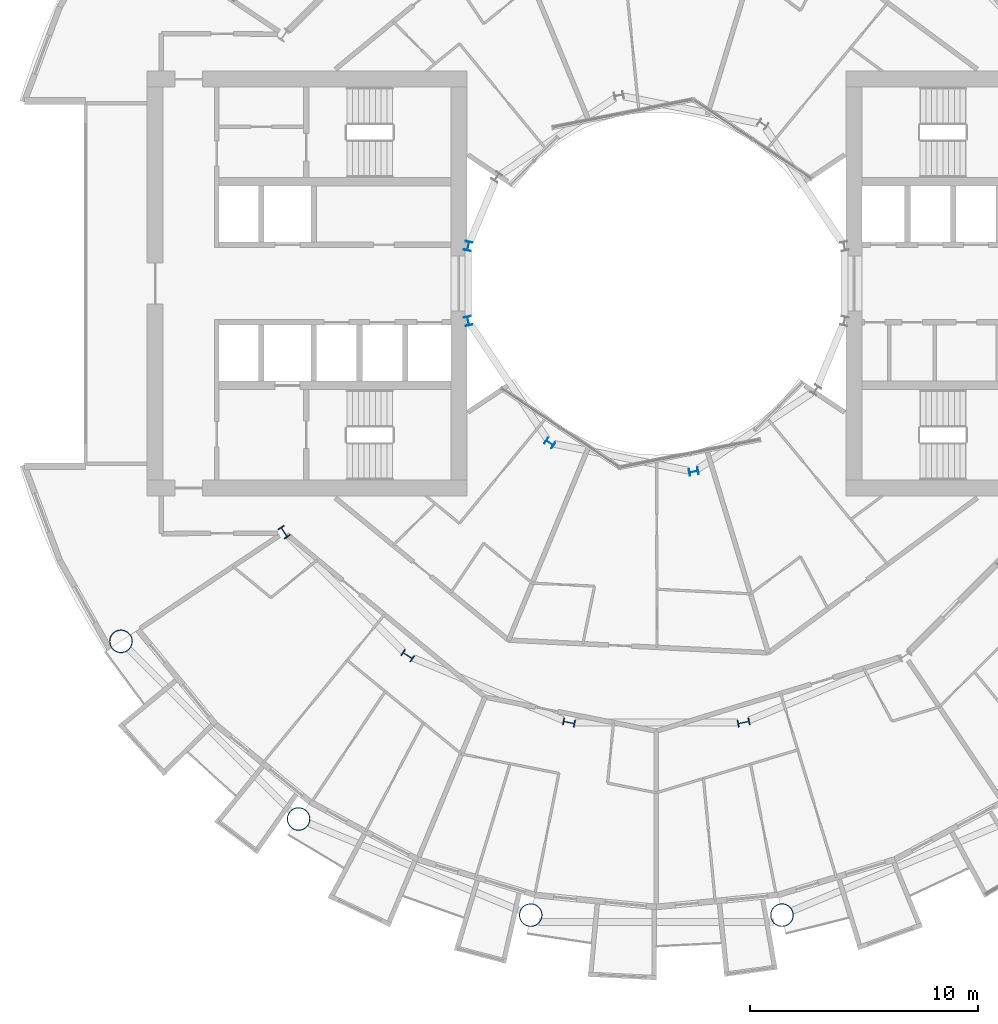
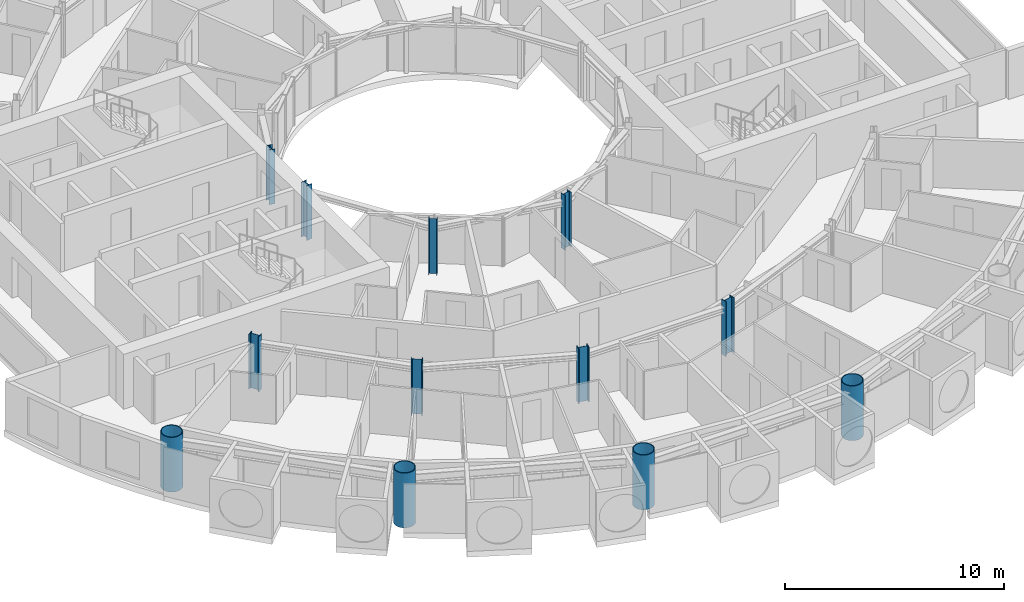
# One storey, part 1 of 26: 12 columns.
"""IFC4 building model written with IfcOpenShell, lengths in metres."""

from ifc_helpers import new_model, si_unit, direction, frame, origin, origin_2d, place, context, subcontext, project, spatial, hollow_circle, i_section, extrude, material, material_profile, profile_set, type_object, element, save


model = new_model("IFC4")

# Units and contexts
model_context = context("Model", 3, precision=1e-05, world=origin(), true_north=direction((0.0, 1.0)))
body_context = subcontext(model_context, "Body", "Model", "MODEL_VIEW")
ifc_project = project(units=[si_unit("LENGTHUNIT", "METRE"), si_unit("AREAUNIT", "SQUARE_METRE"), si_unit("VOLUMEUNIT", "CUBIC_METRE"), si_unit("PLANEANGLEUNIT", "RADIAN"), si_unit("MASSUNIT", "GRAM", prefix="KILO")], contexts=[model_context])

# Site, building, storey
site_placement = place(None, origin())
site = spatial("IfcSite", under=ifc_project, at=site_placement, CompositionType="ELEMENT")
building_placement = place(site_placement, origin())
building = spatial("IfcBuilding", under=site, at=building_placement, Name="Maasbend Ring Residences", CompositionType="ELEMENT")
storey_placement = place(building_placement, frame((0.0, 0.0, 69.699951171875)))
storey = spatial("IfcBuildingStorey", under=building, at=storey_placement, Name="L19", CompositionType="ELEMENT", Elevation=69.699951171875)

# Columns
ifc_material_1 = material(Name="Composite concrete-filled steel tube S460NH / C80/95", Category="concrete")
ifc_material_profile_1 = material_profile(ifc_material_1, hollow_circle(Radius=0.508056640625, WallThickness=0.0400390625, at=origin_2d()), Name="Composite tube column CHS 1016x40")
ifc_profile_set_1 = profile_set([ifc_material_profile_1], Name="Composite concrete-filled steel tube S460NH / C80/95")
column_type_1 = type_object("IfcColumnType", Name="Composite tube column CHS 1016x40", PredefinedType="COLUMN", material=ifc_profile_set_1)
for number, where, z_axis, x_axis, name in (
    (1, (-23.447509765625, -15.6669921875, 0.0), (0.0, 0.0, 1.0), (1.0, 0.0, 0.0), "Outer column R10"),
    (2, (-15.6669921875, -23.447509765625, 0.0), (0.0, 0.0, 1.0), (1.0, 0.0, 0.0), "Outer column R11"),
    (3, (-5.50146484375, -27.658203125, 0.0), (0.0, 0.0, 1.0), (1.0, 0.0, 0.0), "Outer column R12"),
    (4, (5.50146484375, -27.658203125, 0.0), (0.0, 0.0, 1.0), (1.0, 0.0, 0.0), "Outer column R13"),
):
    element("IfcColumn", number, at=place(storey_placement, frame(where, z_axis=z_axis, x_axis=x_axis)), inside=storey, type_object=column_type_1, Name=name, PredefinedType="COLUMN", context=body_context, shape_type="SweptSolid", body=[
        extrude(hollow_circle(Radius=0.508056640625, WallThickness=0.0400390625, at=origin_2d()), origin(), (0.0, 0.0, 1.0), 3.050048828125),
    ])
ifc_material_2 = material(Name="Steel S355J2", Category="steel")
ifc_material_profile_2 = material_profile(ifc_material_2, i_section(OverallWidth=0.300048828125, OverallDepth=0.39990234375, WebThickness=0.013427734375, FlangeThickness=0.02392578125, FilletRadius=0.027099609375, at=origin_2d()), Name="HEB 400")
ifc_profile_set_2 = profile_set([ifc_material_profile_2], Name="Steel S355J2")
column_type_2 = type_object("IfcColumnType", Name="Steel column HEB 400", PredefinedType="COLUMN", material=ifc_profile_set_2)
for number, where, z_axis, x_axis, name in (
    (5, (-8.238525390625, 1.638916015625, 0.0), (0.0, 0.0, 1.0), (-0.980785280403, 0.195090322016, 0.0), "Well ring column R8"),
    (6, (-8.238525390625, -1.638916015625, 0.0), (0.0, 0.0, 1.0), (-0.980785280403, -0.195090322016, 0.0), "Well ring column R9"),
    (7, (-4.666748046875, -6.984375, 0.0), (0.0, 0.0, 1.0), (-0.55557023302, -0.831469612303, 0.0), "Well ring column R11"),
    (8, (1.638916015625, -8.238525390625, 0.0), (0.0, 0.0, 1.0), (0.195090322016, -0.980785280403, 0.0), "Well ring column R13"),
):
    element("IfcColumn", number, at=place(storey_placement, frame(where, z_axis=z_axis, x_axis=x_axis)), inside=storey, type_object=column_type_2, Name=name, PredefinedType="COLUMN", context=body_context, shape_type="SweptSolid", body=[
        extrude(i_section(OverallWidth=0.300048828125, OverallDepth=0.39990234375, WebThickness=0.013427734375, FlangeThickness=0.02392578125, FilletRadius=0.027099609375, at=origin_2d()), origin(), (0.0, 0.0, 1.0), 3.050048828125),
    ])
ifc_material_3 = material(Name="Steel S460M", Category="steel")
ifc_material_profile_3 = material_profile(ifc_material_3, i_section(OverallWidth=0.305908203125, OverallDepth=0.52392578125, WebThickness=0.02099609375, FlangeThickness=0.0400390625, FilletRadius=0.027099609375, at=origin_2d()), Name="HEM 500")
ifc_profile_set_3 = profile_set([ifc_material_profile_3], Name="Steel S460M")
column_type_3 = type_object("IfcColumnType", Name="Steel column HEM 500", PredefinedType="COLUMN", material=ifc_profile_set_3)
for number, where, z_axis, x_axis, name in (
    (9, (-16.296875, -10.88916015625, 0.0), (0.0, 0.0, 1.0), (-0.831469612303, -0.55557023302, 0.0), "Corridor ring column R10"),
    (10, (-10.88916015625, -16.296875, 0.0), (0.0, 0.0, 1.0), (-0.55557023302, -0.831469612303, 0.0), "Corridor ring column R11"),
    (11, (-3.82373046875, -19.223388671875, 0.0), (0.0, 0.0, 1.0), (-0.195090322016, -0.980785280403, 0.0), "Corridor ring column R12"),
    (12, (3.82373046875, -19.223388671875, 0.0), (0.0, 0.0, 1.0), (0.195090322016, -0.980785280403, 0.0), "Corridor ring column R13"),
):
    element("IfcColumn", number, at=place(storey_placement, frame(where, z_axis=z_axis, x_axis=x_axis)), inside=storey, type_object=column_type_3, Name=name, PredefinedType="COLUMN", context=body_context, shape_type="SweptSolid", body=[
        extrude(i_section(OverallWidth=0.305908203125, OverallDepth=0.52392578125, WebThickness=0.02099609375, FlangeThickness=0.0400390625, FilletRadius=0.027099609375, at=origin_2d()), origin(), (0.0, 0.0, 1.0), 3.050048828125),
    ])

save(model, "model.ifc")
